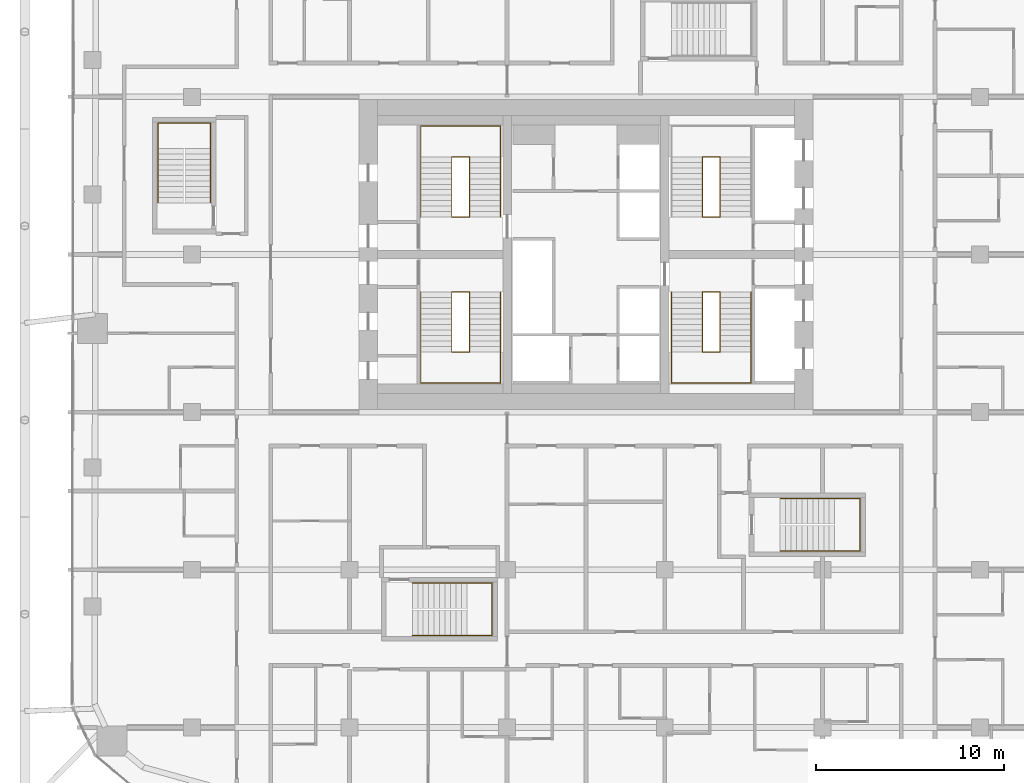
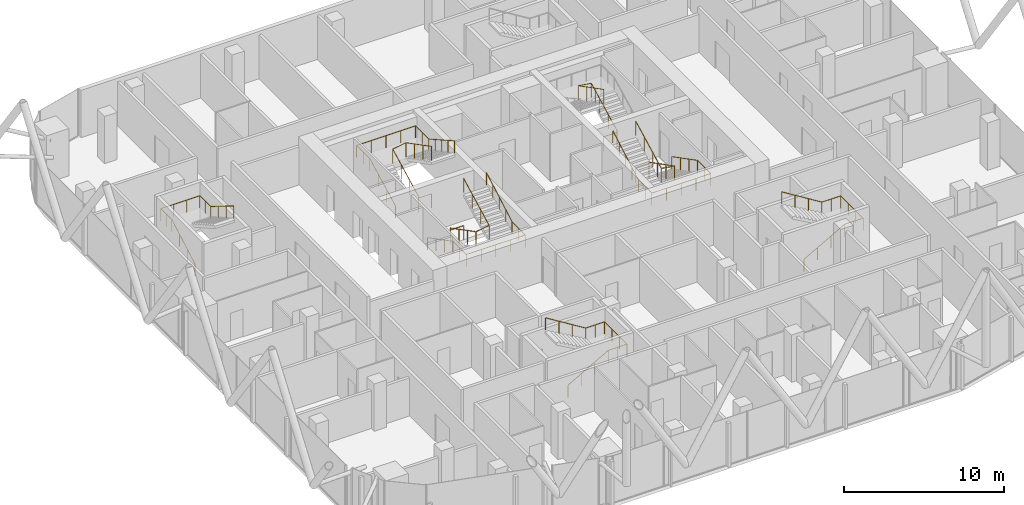
# One storey, part 35 of 36: 10 railings.
"""IFC4 building model written with IfcOpenShell, lengths in metres."""

from ifc_helpers import new_model, si_unit, direction, frame, origin, origin_2d, place, context, subcontext, project, spatial, circle, extrude, material, type_object, element, save


model = new_model("IFC4")

# Units and contexts
model_context = context("Model", 3, precision=1e-05, world=origin(), true_north=direction((0.0, 1.0)))
body_context = subcontext(model_context, "Body", "Model", "MODEL_VIEW")
ifc_project = project(units=[si_unit("LENGTHUNIT", "METRE"), si_unit("AREAUNIT", "SQUARE_METRE"), si_unit("VOLUMEUNIT", "CUBIC_METRE"), si_unit("PLANEANGLEUNIT", "RADIAN"), si_unit("MASSUNIT", "GRAM", prefix="KILO")], contexts=[model_context])

# Site, building, storey
site_placement = place(None, origin())
site = spatial("IfcSite", under=ifc_project, at=site_placement, CompositionType="ELEMENT")
building_placement = place(site_placement, origin())
building = spatial("IfcBuilding", under=site, at=building_placement, Name="Marenta Gate Hotel Tower", CompositionType="ELEMENT")
storey_placement = place(building_placement, frame((0.0, 0.0, 158.89990234375)))
storey = spatial("IfcBuildingStorey", under=building, at=storey_placement, Name="L37", CompositionType="ELEMENT", Elevation=158.89990234375)

# Railings
ifc_material_1 = material(Name="Stainless steel", Category="steel")
railing_type_1 = type_object("IfcRailingType", Name="Core stair handrail 950", PredefinedType="HANDRAIL", material=ifc_material_1)
railing_1_placement = place(storey_placement, frame((-8.800048828125, 6.39990234375, 0.150146484375)))
element("IfcRailing", 1, at=railing_1_placement, inside=storey, type_object=railing_type_1, Name="HR-950 L37-KR-ST1-1", PredefinedType="HANDRAIL", context=body_context, shape_type="SweptSolid", body=[
    extrude(circle(Radius=0.02392578125, at=origin_2d()), frame((0.0, 0.0, 0.92578125), z_axis=(0.0, -0.888225295554, 0.459408123936), x_axis=(1.0, 0.0, 0.0)), (0.0, 0.0, 1.0), 3.59130859375),
    extrude(circle(Radius=0.02392578125, at=origin_2d()), frame((0.0, -3.18994140625, 2.57568359375), z_axis=(0.0, -1.0, 0.0), x_axis=(1.0, 0.0, 0.0)), (0.0, 0.0, 1.0), 1.659912109375),
    extrude(circle(Radius=0.02392578125, at=origin_2d()), frame((0.0, -4.849853515625, 2.57568359375), z_axis=(1.0, 0.0, 0.0), x_axis=(0.0, 1.0, 0.0)), (0.0, 0.0, 1.0), 4.25),
    extrude(circle(Radius=0.02392578125, at=origin_2d()), frame((4.25, -4.849853515625, 2.57568359375), z_axis=(0.0, 1.0, 0.0), x_axis=(-1.0, 0.0, 0.0)), (0.0, 0.0, 1.0), 1.659912109375),
    extrude(circle(Radius=0.02392578125, at=origin_2d()), frame((4.25, -3.18994140625, 2.57568359375), z_axis=(0.0, 0.87090897868, 0.491444351738), x_axis=(-1.0, 0.0, 0.0)), (0.0, 0.0, 1.0), 3.662841796875),
    extrude(circle(Radius=0.02099609375, at=origin_2d()), origin(), (0.0, 0.0, 1.0), 0.90185546875),
    extrude(circle(Radius=0.02099609375, at=origin_2d()), frame((0.0, -1.063232421875, 0.550048828125)), (0.0, 0.0, 1.0), 0.90185546875),
    extrude(circle(Radius=0.02099609375, at=origin_2d()), frame((0.0, -2.126708984375, 1.099853515625)), (0.0, 0.0, 1.0), 0.90185546875),
    extrude(circle(Radius=0.02099609375, at=origin_2d()), frame((0.0, -3.18994140625, 1.64990234375)), (0.0, 0.0, 1.0), 0.90185546875),
    extrude(circle(Radius=0.02099609375, at=origin_2d()), frame((0.0, -4.02001953125, 1.64990234375)), (0.0, 0.0, 1.0), 0.90185546875),
    extrude(circle(Radius=0.02099609375, at=origin_2d()), frame((0.0, -4.849853515625, 1.64990234375)), (0.0, 0.0, 1.0), 0.90185546875),
    extrude(circle(Radius=0.02099609375, at=origin_2d()), frame((1.0625, -4.849853515625, 1.64990234375)), (0.0, 0.0, 1.0), 0.90185546875),
    extrude(circle(Radius=0.02099609375, at=origin_2d()), frame((2.125, -4.849853515625, 1.64990234375)), (0.0, 0.0, 1.0), 0.90185546875),
    extrude(circle(Radius=0.02099609375, at=origin_2d()), frame((3.1875, -4.849853515625, 1.64990234375)), (0.0, 0.0, 1.0), 0.90185546875),
    extrude(circle(Radius=0.02099609375, at=origin_2d()), frame((4.25, -4.849853515625, 1.64990234375)), (0.0, 0.0, 1.0), 0.90185546875),
    extrude(circle(Radius=0.02099609375, at=origin_2d()), frame((4.25, -4.02001953125, 1.64990234375)), (0.0, 0.0, 1.0), 0.90185546875),
    extrude(circle(Radius=0.02099609375, at=origin_2d()), frame((4.25, -3.18994140625, 1.64990234375)), (0.0, 0.0, 1.0), 0.90185546875),
    extrude(circle(Radius=0.02099609375, at=origin_2d()), frame((4.25, -2.392578125, 2.099853515625)), (0.0, 0.0, 1.0), 0.90185546875),
    extrude(circle(Radius=0.02099609375, at=origin_2d()), frame((4.25, -1.594970703125, 2.5498046875)), (0.0, 0.0, 1.0), 0.90185546875),
    extrude(circle(Radius=0.02099609375, at=origin_2d()), frame((4.25, -0.79736328125, 3.0)), (0.0, 0.0, 1.0), 0.90185546875),
    extrude(circle(Radius=0.02099609375, at=origin_2d()), frame((4.25, 0.0, 3.449951171875)), (0.0, 0.0, 1.0), 0.90185546875),
])
railing_2_placement = place(storey_placement, frame((-8.800048828125, 10.39990234375, 0.150146484375)))
element("IfcRailing", 2, at=railing_2_placement, inside=storey, type_object=railing_type_1, Name="HR-950 L37-KR-ST2-1", PredefinedType="HANDRAIL", context=body_context, shape_type="SweptSolid", body=[
    extrude(circle(Radius=0.02392578125, at=origin_2d()), frame((0.0, 0.0, 0.92578125), z_axis=(0.0, 0.888239641807, 0.459380385653), x_axis=(-1.0, 0.0, 0.0)), (0.0, 0.0, 1.0), 3.591552734375),
    extrude(circle(Radius=0.02392578125, at=origin_2d()), frame((0.0, 3.190185546875, 2.57568359375), z_axis=(0.0, 1.0, 0.0), x_axis=(-1.0, 0.0, 0.0)), (0.0, 0.0, 1.0), 1.659912109375),
    extrude(circle(Radius=0.02392578125, at=origin_2d()), frame((0.0, 4.85009765625, 2.57568359375), z_axis=(1.0, 0.0, 0.0), x_axis=(0.0, 1.0, 0.0)), (0.0, 0.0, 1.0), 4.25),
    extrude(circle(Radius=0.02392578125, at=origin_2d()), frame((4.25, 4.85009765625, 2.57568359375), z_axis=(0.0, -1.0, 0.0), x_axis=(1.0, 0.0, 0.0)), (0.0, 0.0, 1.0), 1.659912109375),
    extrude(circle(Radius=0.02392578125, at=origin_2d()), frame((4.25, 3.190185546875, 2.57568359375), z_axis=(0.0, -0.870925075533, 0.491415824742), x_axis=(1.0, 0.0, 0.0)), (0.0, 0.0, 1.0), 3.6630859375),
    extrude(circle(Radius=0.02099609375, at=origin_2d()), origin(), (0.0, 0.0, 1.0), 0.90185546875),
    extrude(circle(Radius=0.02099609375, at=origin_2d()), frame((0.0, 1.0634765625, 0.550048828125)), (0.0, 0.0, 1.0), 0.90185546875),
    extrude(circle(Radius=0.02099609375, at=origin_2d()), frame((0.0, 2.126708984375, 1.099853515625)), (0.0, 0.0, 1.0), 0.90185546875),
    extrude(circle(Radius=0.02099609375, at=origin_2d()), frame((0.0, 3.190185546875, 1.64990234375)), (0.0, 0.0, 1.0), 0.90185546875),
    extrude(circle(Radius=0.02099609375, at=origin_2d()), frame((0.0, 4.02001953125, 1.64990234375)), (0.0, 0.0, 1.0), 0.90185546875),
    extrude(circle(Radius=0.02099609375, at=origin_2d()), frame((0.0, 4.85009765625, 1.64990234375)), (0.0, 0.0, 1.0), 0.90185546875),
    extrude(circle(Radius=0.02099609375, at=origin_2d()), frame((1.0625, 4.85009765625, 1.64990234375)), (0.0, 0.0, 1.0), 0.90185546875),
    extrude(circle(Radius=0.02099609375, at=origin_2d()), frame((2.125, 4.85009765625, 1.64990234375)), (0.0, 0.0, 1.0), 0.90185546875),
    extrude(circle(Radius=0.02099609375, at=origin_2d()), frame((3.1875, 4.85009765625, 1.64990234375)), (0.0, 0.0, 1.0), 0.90185546875),
    extrude(circle(Radius=0.02099609375, at=origin_2d()), frame((4.25, 4.85009765625, 1.64990234375)), (0.0, 0.0, 1.0), 0.90185546875),
    extrude(circle(Radius=0.02099609375, at=origin_2d()), frame((4.25, 4.02001953125, 1.64990234375)), (0.0, 0.0, 1.0), 0.90185546875),
    extrude(circle(Radius=0.02099609375, at=origin_2d()), frame((4.25, 3.190185546875, 1.64990234375)), (0.0, 0.0, 1.0), 0.90185546875),
    extrude(circle(Radius=0.02099609375, at=origin_2d()), frame((4.25, 2.392578125, 2.099853515625)), (0.0, 0.0, 1.0), 0.90185546875),
    extrude(circle(Radius=0.02099609375, at=origin_2d()), frame((4.25, 1.59521484375, 2.5498046875)), (0.0, 0.0, 1.0), 0.90185546875),
    extrude(circle(Radius=0.02099609375, at=origin_2d()), frame((4.25, 0.797607421875, 3.0)), (0.0, 0.0, 1.0), 0.90185546875),
    extrude(circle(Radius=0.02099609375, at=origin_2d()), frame((4.25, 0.0, 3.449951171875)), (0.0, 0.0, 1.0), 0.90185546875),
])
railing_3_placement = place(storey_placement, frame((8.800048828125, 6.39990234375, 0.150146484375)))
element("IfcRailing", 3, at=railing_3_placement, inside=storey, type_object=railing_type_1, Name="HR-950 L37-KR-ST3-1", PredefinedType="HANDRAIL", context=body_context, shape_type="SweptSolid", body=[
    extrude(circle(Radius=0.02392578125, at=origin_2d()), frame((0.0, 0.0, 0.92578125), z_axis=(0.0, -0.888225295554, 0.459408123936), x_axis=(1.0, 0.0, 0.0)), (0.0, 0.0, 1.0), 3.59130859375),
    extrude(circle(Radius=0.02392578125, at=origin_2d()), frame((0.0, -3.18994140625, 2.57568359375), z_axis=(0.0, -1.0, 0.0), x_axis=(1.0, 0.0, 0.0)), (0.0, 0.0, 1.0), 1.659912109375),
    extrude(circle(Radius=0.02392578125, at=origin_2d()), frame((0.0, -4.849853515625, 2.57568359375), z_axis=(-1.0, 0.0, 0.0), x_axis=(0.0, -1.0, 0.0)), (0.0, 0.0, 1.0), 4.25),
    extrude(circle(Radius=0.02392578125, at=origin_2d()), frame((-4.25, -4.849853515625, 2.57568359375), z_axis=(0.0, 1.0, 0.0), x_axis=(-1.0, 0.0, 0.0)), (0.0, 0.0, 1.0), 1.659912109375),
    extrude(circle(Radius=0.02392578125, at=origin_2d()), frame((-4.25, -3.18994140625, 2.57568359375), z_axis=(0.0, 0.87090897868, 0.491444351738), x_axis=(-1.0, 0.0, 0.0)), (0.0, 0.0, 1.0), 3.662841796875),
    extrude(circle(Radius=0.02099609375, at=origin_2d()), origin(), (0.0, 0.0, 1.0), 0.90185546875),
    extrude(circle(Radius=0.02099609375, at=origin_2d()), frame((0.0, -1.063232421875, 0.550048828125)), (0.0, 0.0, 1.0), 0.90185546875),
    extrude(circle(Radius=0.02099609375, at=origin_2d()), frame((0.0, -2.126708984375, 1.099853515625)), (0.0, 0.0, 1.0), 0.90185546875),
    extrude(circle(Radius=0.02099609375, at=origin_2d()), frame((0.0, -3.18994140625, 1.64990234375)), (0.0, 0.0, 1.0), 0.90185546875),
    extrude(circle(Radius=0.02099609375, at=origin_2d()), frame((0.0, -4.02001953125, 1.64990234375)), (0.0, 0.0, 1.0), 0.90185546875),
    extrude(circle(Radius=0.02099609375, at=origin_2d()), frame((0.0, -4.849853515625, 1.64990234375)), (0.0, 0.0, 1.0), 0.90185546875),
    extrude(circle(Radius=0.02099609375, at=origin_2d()), frame((-1.0625, -4.849853515625, 1.64990234375)), (0.0, 0.0, 1.0), 0.90185546875),
    extrude(circle(Radius=0.02099609375, at=origin_2d()), frame((-2.125, -4.849853515625, 1.64990234375)), (0.0, 0.0, 1.0), 0.90185546875),
    extrude(circle(Radius=0.02099609375, at=origin_2d()), frame((-3.1875, -4.849853515625, 1.64990234375)), (0.0, 0.0, 1.0), 0.90185546875),
    extrude(circle(Radius=0.02099609375, at=origin_2d()), frame((-4.25, -4.849853515625, 1.64990234375)), (0.0, 0.0, 1.0), 0.90185546875),
    extrude(circle(Radius=0.02099609375, at=origin_2d()), frame((-4.25, -4.02001953125, 1.64990234375)), (0.0, 0.0, 1.0), 0.90185546875),
    extrude(circle(Radius=0.02099609375, at=origin_2d()), frame((-4.25, -3.18994140625, 1.64990234375)), (0.0, 0.0, 1.0), 0.90185546875),
    extrude(circle(Radius=0.02099609375, at=origin_2d()), frame((-4.25, -2.392578125, 2.099853515625)), (0.0, 0.0, 1.0), 0.90185546875),
    extrude(circle(Radius=0.02099609375, at=origin_2d()), frame((-4.25, -1.594970703125, 2.5498046875)), (0.0, 0.0, 1.0), 0.90185546875),
    extrude(circle(Radius=0.02099609375, at=origin_2d()), frame((-4.25, -0.79736328125, 3.0)), (0.0, 0.0, 1.0), 0.90185546875),
    extrude(circle(Radius=0.02099609375, at=origin_2d()), frame((-4.25, 0.0, 3.449951171875)), (0.0, 0.0, 1.0), 0.90185546875),
])
railing_4_placement = place(storey_placement, frame((-22.800048828125, 11.14990234375, 0.163818359375)))
element("IfcRailing", 4, at=railing_4_placement, inside=storey, type_object=railing_type_1, Name="HR-950 L37-RS-Z1-3-KR-1", PredefinedType="HANDRAIL", context=body_context, shape_type="SweptSolid", body=[
    extrude(circle(Radius=0.02392578125, at=origin_2d()), frame((0.0, 0.0, 0.92578125), z_axis=(0.0, 0.870946286338, 0.49137823142), x_axis=(-1.0, 0.0, 0.0)), (0.0, 0.0, 1.0), 3.329833984375),
    extrude(circle(Radius=0.02392578125, at=origin_2d()), frame((0.0, 2.900146484375, 2.56201171875), z_axis=(0.0, 1.0, 0.0), x_axis=(-1.0, 0.0, 0.0)), (0.0, 0.0, 1.0), 1.349853515625),
    extrude(circle(Radius=0.02392578125, at=origin_2d()), frame((0.0, 4.25, 2.56201171875), z_axis=(1.0, 0.0, 0.0), x_axis=(0.0, 1.0, 0.0)), (0.0, 0.0, 1.0), 2.800048828125),
    extrude(circle(Radius=0.02392578125, at=origin_2d()), frame((2.800048828125, 4.25, 2.56201171875), z_axis=(0.0, -1.0, 0.0), x_axis=(1.0, 0.0, 0.0)), (0.0, 0.0, 1.0), 1.349853515625),
    extrude(circle(Radius=0.02392578125, at=origin_2d()), frame((2.800048828125, 2.900146484375, 2.56201171875), z_axis=(0.0, -0.849645691689, 0.527353959494), x_axis=(1.0, 0.0, 0.0)), (0.0, 0.0, 1.0), 3.413330078125),
    extrude(circle(Radius=0.02099609375, at=origin_2d()), origin(), (0.0, 0.0, 1.0), 0.90185546875),
    extrude(circle(Radius=0.02099609375, at=origin_2d()), frame((0.0, 0.966796875, 0.54541015625)), (0.0, 0.0, 1.0), 0.90185546875),
    extrude(circle(Radius=0.02099609375, at=origin_2d()), frame((0.0, 1.933349609375, 1.0908203125)), (0.0, 0.0, 1.0), 0.90185546875),
    extrude(circle(Radius=0.02099609375, at=origin_2d()), frame((0.0, 2.900146484375, 1.63623046875)), (0.0, 0.0, 1.0), 0.90185546875),
    extrude(circle(Radius=0.02099609375, at=origin_2d()), frame((0.0, 3.5751953125, 1.63623046875)), (0.0, 0.0, 1.0), 0.90185546875),
    extrude(circle(Radius=0.02099609375, at=origin_2d()), frame((0.0, 4.25, 1.63623046875)), (0.0, 0.0, 1.0), 0.90185546875),
    extrude(circle(Radius=0.02099609375, at=origin_2d()), frame((0.933349609375, 4.25, 1.63623046875)), (0.0, 0.0, 1.0), 0.90185546875),
    extrude(circle(Radius=0.02099609375, at=origin_2d()), frame((1.86669921875, 4.25, 1.63623046875)), (0.0, 0.0, 1.0), 0.90185546875),
    extrude(circle(Radius=0.02099609375, at=origin_2d()), frame((2.800048828125, 4.25, 1.63623046875)), (0.0, 0.0, 1.0), 0.90185546875),
    extrude(circle(Radius=0.02099609375, at=origin_2d()), frame((2.800048828125, 3.5751953125, 1.63623046875)), (0.0, 0.0, 1.0), 0.90185546875),
    extrude(circle(Radius=0.02099609375, at=origin_2d()), frame((2.800048828125, 2.900146484375, 1.63623046875)), (0.0, 0.0, 1.0), 0.90185546875),
    extrude(circle(Radius=0.02099609375, at=origin_2d()), frame((2.800048828125, 1.933349609375, 2.236328125)), (0.0, 0.0, 1.0), 0.90185546875),
    extrude(circle(Radius=0.02099609375, at=origin_2d()), frame((2.800048828125, 0.966796875, 2.836181640625)), (0.0, 0.0, 1.0), 0.90185546875),
    extrude(circle(Radius=0.02099609375, at=origin_2d()), frame((2.800048828125, 0.0, 3.436279296875)), (0.0, 0.0, 1.0), 0.90185546875),
])
railing_5_placement = place(storey_placement, frame((-9.25, -11.89990234375, 0.163818359375)))
element("IfcRailing", 5, at=railing_5_placement, inside=storey, type_object=railing_type_1, Name="HR-950 L37-RS-Z2-1-KR-1", PredefinedType="HANDRAIL", context=body_context, shape_type="SweptSolid", body=[
    extrude(circle(Radius=0.02392578125, at=origin_2d()), frame((0.0, 0.0, 0.92578125), z_axis=(0.870928581787, 0.0, 0.491409610636), x_axis=(0.0, 1.0, 0.0)), (0.0, 0.0, 1.0), 3.32958984375),
    extrude(circle(Radius=0.02392578125, at=origin_2d()), frame((2.89990234375, 0.0, 2.56201171875), z_axis=(1.0, 0.0, 0.0), x_axis=(0.0, 1.0, 0.0)), (0.0, 0.0, 1.0), 1.35009765625),
    extrude(circle(Radius=0.02392578125, at=origin_2d()), frame((4.25, 0.0, 2.56201171875), z_axis=(0.0, 1.0, 0.0), x_axis=(-1.0, 0.0, 0.0)), (0.0, 0.0, 1.0), 2.7998046875),
    extrude(circle(Radius=0.02392578125, at=origin_2d()), frame((4.25, 2.7998046875, 2.56201171875), z_axis=(-1.0, 0.0, 0.0), x_axis=(0.0, -1.0, 0.0)), (0.0, 0.0, 1.0), 1.35009765625),
    extrude(circle(Radius=0.02392578125, at=origin_2d()), frame((2.89990234375, 2.7998046875, 2.56201171875), z_axis=(-0.849625798611, 0.0, 0.527386008853), x_axis=(0.0, -1.0, 0.0)), (0.0, 0.0, 1.0), 3.4130859375),
    extrude(circle(Radius=0.02099609375, at=origin_2d()), origin(), (0.0, 0.0, 1.0), 0.90185546875),
    extrude(circle(Radius=0.02099609375, at=origin_2d()), frame((0.966552734375, 0.0, 0.54541015625)), (0.0, 0.0, 1.0), 0.90185546875),
    extrude(circle(Radius=0.02099609375, at=origin_2d()), frame((1.933349609375, 0.0, 1.0908203125)), (0.0, 0.0, 1.0), 0.90185546875),
    extrude(circle(Radius=0.02099609375, at=origin_2d()), frame((2.89990234375, 0.0, 1.63623046875)), (0.0, 0.0, 1.0), 0.90185546875),
    extrude(circle(Radius=0.02099609375, at=origin_2d()), frame((3.574951171875, 0.0, 1.63623046875)), (0.0, 0.0, 1.0), 0.90185546875),
    extrude(circle(Radius=0.02099609375, at=origin_2d()), frame((4.25, 0.0, 1.63623046875)), (0.0, 0.0, 1.0), 0.90185546875),
    extrude(circle(Radius=0.02099609375, at=origin_2d()), frame((4.25, 0.933349609375, 1.63623046875)), (0.0, 0.0, 1.0), 0.90185546875),
    extrude(circle(Radius=0.02099609375, at=origin_2d()), frame((4.25, 1.866455078125, 1.63623046875)), (0.0, 0.0, 1.0), 0.90185546875),
    extrude(circle(Radius=0.02099609375, at=origin_2d()), frame((4.25, 2.7998046875, 1.63623046875)), (0.0, 0.0, 1.0), 0.90185546875),
    extrude(circle(Radius=0.02099609375, at=origin_2d()), frame((3.574951171875, 2.7998046875, 1.63623046875)), (0.0, 0.0, 1.0), 0.90185546875),
    extrude(circle(Radius=0.02099609375, at=origin_2d()), frame((2.89990234375, 2.7998046875, 1.63623046875)), (0.0, 0.0, 1.0), 0.90185546875),
    extrude(circle(Radius=0.02099609375, at=origin_2d()), frame((1.933349609375, 2.7998046875, 2.236328125)), (0.0, 0.0, 1.0), 0.90185546875),
    extrude(circle(Radius=0.02099609375, at=origin_2d()), frame((0.966552734375, 2.7998046875, 2.836181640625)), (0.0, 0.0, 1.0), 0.90185546875),
    extrude(circle(Radius=0.02099609375, at=origin_2d()), frame((0.0, 2.7998046875, 3.436279296875)), (0.0, 0.0, 1.0), 0.90185546875),
])
railing_6_placement = place(storey_placement, frame((10.35009765625, -7.39990234375, 0.163818359375)))
element("IfcRailing", 6, at=railing_6_placement, inside=storey, type_object=railing_type_1, Name="HR-950 L37-RS-Z2-2-KR-1", PredefinedType="HANDRAIL", context=body_context, shape_type="SweptSolid", body=[
    extrude(circle(Radius=0.02392578125, at=origin_2d()), frame((0.0, 0.0, 0.92578125), z_axis=(0.870928581787, 0.0, 0.491409610636), x_axis=(0.0, 1.0, 0.0)), (0.0, 0.0, 1.0), 3.32958984375),
    extrude(circle(Radius=0.02392578125, at=origin_2d()), frame((2.89990234375, 0.0, 2.56201171875), z_axis=(1.0, 0.0, 0.0), x_axis=(0.0, 1.0, 0.0)), (0.0, 0.0, 1.0), 1.35009765625),
    extrude(circle(Radius=0.02392578125, at=origin_2d()), frame((4.25, 0.0, 2.56201171875), z_axis=(0.0, 1.0, 0.0), x_axis=(-1.0, 0.0, 0.0)), (0.0, 0.0, 1.0), 2.7998046875),
    extrude(circle(Radius=0.02392578125, at=origin_2d()), frame((4.25, 2.7998046875, 2.56201171875), z_axis=(-1.0, 0.0, 0.0), x_axis=(0.0, -1.0, 0.0)), (0.0, 0.0, 1.0), 1.35009765625),
    extrude(circle(Radius=0.02392578125, at=origin_2d()), frame((2.89990234375, 2.7998046875, 2.56201171875), z_axis=(-0.849625798611, 0.0, 0.527386008853), x_axis=(0.0, -1.0, 0.0)), (0.0, 0.0, 1.0), 3.4130859375),
    extrude(circle(Radius=0.02099609375, at=origin_2d()), origin(), (0.0, 0.0, 1.0), 0.90185546875),
    extrude(circle(Radius=0.02099609375, at=origin_2d()), frame((0.966552734375, 0.0, 0.54541015625)), (0.0, 0.0, 1.0), 0.90185546875),
    extrude(circle(Radius=0.02099609375, at=origin_2d()), frame((1.933349609375, 0.0, 1.0908203125)), (0.0, 0.0, 1.0), 0.90185546875),
    extrude(circle(Radius=0.02099609375, at=origin_2d()), frame((2.89990234375, 0.0, 1.63623046875)), (0.0, 0.0, 1.0), 0.90185546875),
    extrude(circle(Radius=0.02099609375, at=origin_2d()), frame((3.574951171875, 0.0, 1.63623046875)), (0.0, 0.0, 1.0), 0.90185546875),
    extrude(circle(Radius=0.02099609375, at=origin_2d()), frame((4.25, 0.0, 1.63623046875)), (0.0, 0.0, 1.0), 0.90185546875),
    extrude(circle(Radius=0.02099609375, at=origin_2d()), frame((4.25, 0.933349609375, 1.63623046875)), (0.0, 0.0, 1.0), 0.90185546875),
    extrude(circle(Radius=0.02099609375, at=origin_2d()), frame((4.25, 1.866455078125, 1.63623046875)), (0.0, 0.0, 1.0), 0.90185546875),
    extrude(circle(Radius=0.02099609375, at=origin_2d()), frame((4.25, 2.7998046875, 1.63623046875)), (0.0, 0.0, 1.0), 0.90185546875),
    extrude(circle(Radius=0.02099609375, at=origin_2d()), frame((3.574951171875, 2.7998046875, 1.63623046875)), (0.0, 0.0, 1.0), 0.90185546875),
    extrude(circle(Radius=0.02099609375, at=origin_2d()), frame((2.89990234375, 2.7998046875, 1.63623046875)), (0.0, 0.0, 1.0), 0.90185546875),
    extrude(circle(Radius=0.02099609375, at=origin_2d()), frame((1.933349609375, 2.7998046875, 2.236328125)), (0.0, 0.0, 1.0), 0.90185546875),
    extrude(circle(Radius=0.02099609375, at=origin_2d()), frame((0.966552734375, 2.7998046875, 2.836181640625)), (0.0, 0.0, 1.0), 0.90185546875),
    extrude(circle(Radius=0.02099609375, at=origin_2d()), frame((0.0, 2.7998046875, 3.436279296875)), (0.0, 0.0, 1.0), 0.90185546875),
])
ifc_material_2 = material(Name="Stainless steel", Category="steel")
railing_type_2 = type_object("IfcRailingType", Name="Core stair well guard 1100", PredefinedType="GUARDRAIL", material=ifc_material_2)
railing_7_placement = place(storey_placement, frame((-6.199951171875, 6.39990234375, 0.0)))
element("IfcRailing", 7, at=railing_7_placement, inside=storey, type_object=railing_type_2, Name="GR-1100 L37-KR-ST1-2", PredefinedType="GUARDRAIL", context=body_context, shape_type="SweptSolid", body=[
    extrude(circle(Radius=0.02392578125, at=origin_2d()), frame((0.0, 0.0, 1.076171875), z_axis=(-1.0, 0.0, 0.0), x_axis=(0.0, -1.0, 0.0)), (0.0, 0.0, 1.0), 0.949951171875),
    extrude(circle(Radius=0.02392578125, at=origin_2d()), frame((-0.949951171875, 0.0, 1.076171875), z_axis=(0.0, 0.0, 1.0), x_axis=(1.0, 0.0, 0.0)), (0.0, 0.0, 1.0), 0.150146484375),
    extrude(circle(Radius=0.02392578125, at=origin_2d()), frame((-0.949951171875, 0.0, 1.22607421875), z_axis=(0.0, -0.888225295554, 0.459408123936), x_axis=(1.0, 0.0, 0.0)), (0.0, 0.0, 1.0), 3.59130859375),
    extrude(circle(Radius=0.02392578125, at=origin_2d()), frame((-0.949951171875, -3.18994140625, 2.8759765625), z_axis=(0.987738253826, 0.0, 0.156118999255), x_axis=(0.0, 1.0, 0.0)), (0.0, 0.0, 1.0), 0.961669921875),
    extrude(circle(Radius=0.02392578125, at=origin_2d()), frame((0.0, -3.18994140625, 3.0263671875), z_axis=(0.0, 0.888225295554, 0.459408123936), x_axis=(-1.0, 0.0, 0.0)), (0.0, 0.0, 1.0), 3.59130859375),
    extrude(circle(Radius=0.02099609375, at=origin_2d()), origin(), (0.0, 0.0, 1.0), 1.052001953125),
    extrude(circle(Radius=0.02099609375, at=origin_2d()), frame((-0.949951171875, 0.0, 0.0)), (0.0, 0.0, 1.0), 1.052001953125),
    extrude(circle(Radius=0.02099609375, at=origin_2d()), frame((-0.949951171875, 0.0, 0.150146484375)), (0.0, 0.0, 1.0), 1.052001953125),
    extrude(circle(Radius=0.02099609375, at=origin_2d()), frame((-0.949951171875, -1.063232421875, 0.7001953125)), (0.0, 0.0, 1.0), 1.052001953125),
    extrude(circle(Radius=0.02099609375, at=origin_2d()), frame((-0.949951171875, -2.126708984375, 1.25)), (0.0, 0.0, 1.0), 1.052001953125),
    extrude(circle(Radius=0.02099609375, at=origin_2d()), frame((-0.949951171875, -3.18994140625, 1.800048828125)), (0.0, 0.0, 1.0), 1.052001953125),
    extrude(circle(Radius=0.02099609375, at=origin_2d()), frame((0.0, -3.18994140625, 1.9501953125)), (0.0, 0.0, 1.0), 1.052001953125),
    extrude(circle(Radius=0.02099609375, at=origin_2d()), frame((0.0, -2.126708984375, 2.500244140625)), (0.0, 0.0, 1.0), 1.052001953125),
    extrude(circle(Radius=0.02099609375, at=origin_2d()), frame((0.0, -1.063232421875, 3.050048828125)), (0.0, 0.0, 1.0), 1.052001953125),
    extrude(circle(Radius=0.02099609375, at=origin_2d()), frame((0.0, 0.0, 3.60009765625)), (0.0, 0.0, 1.0), 1.052001953125),
])
railing_8_placement = place(storey_placement, frame((-6.199951171875, 10.39990234375, 0.0)))
element("IfcRailing", 8, at=railing_8_placement, inside=storey, type_object=railing_type_2, Name="GR-1100 L37-KR-ST2-2", PredefinedType="GUARDRAIL", context=body_context, shape_type="SweptSolid", body=[
    extrude(circle(Radius=0.02392578125, at=origin_2d()), frame((0.0, 0.0, 1.076171875), z_axis=(-1.0, 0.0, 0.0), x_axis=(0.0, -1.0, 0.0)), (0.0, 0.0, 1.0), 0.949951171875),
    extrude(circle(Radius=0.02392578125, at=origin_2d()), frame((-0.949951171875, 0.0, 1.076171875), z_axis=(0.0, 0.0, 1.0), x_axis=(1.0, 0.0, 0.0)), (0.0, 0.0, 1.0), 0.150146484375),
    extrude(circle(Radius=0.02392578125, at=origin_2d()), frame((-0.949951171875, 0.0, 1.22607421875), z_axis=(0.0, 0.888239641807, 0.459380385653), x_axis=(-1.0, 0.0, 0.0)), (0.0, 0.0, 1.0), 3.591552734375),
    extrude(circle(Radius=0.02392578125, at=origin_2d()), frame((-0.949951171875, 3.190185546875, 2.8759765625), z_axis=(0.987738253826, 0.0, 0.156118999255), x_axis=(0.0, 1.0, 0.0)), (0.0, 0.0, 1.0), 0.961669921875),
    extrude(circle(Radius=0.02392578125, at=origin_2d()), frame((0.0, 3.190185546875, 3.0263671875), z_axis=(0.0, -0.888239641807, 0.459380385653), x_axis=(1.0, 0.0, 0.0)), (0.0, 0.0, 1.0), 3.591552734375),
    extrude(circle(Radius=0.02099609375, at=origin_2d()), origin(), (0.0, 0.0, 1.0), 1.052001953125),
    extrude(circle(Radius=0.02099609375, at=origin_2d()), frame((-0.949951171875, 0.0, 0.0)), (0.0, 0.0, 1.0), 1.052001953125),
    extrude(circle(Radius=0.02099609375, at=origin_2d()), frame((-0.949951171875, 0.0, 0.150146484375)), (0.0, 0.0, 1.0), 1.052001953125),
    extrude(circle(Radius=0.02099609375, at=origin_2d()), frame((-0.949951171875, 1.0634765625, 0.7001953125)), (0.0, 0.0, 1.0), 1.052001953125),
    extrude(circle(Radius=0.02099609375, at=origin_2d()), frame((-0.949951171875, 2.126708984375, 1.25)), (0.0, 0.0, 1.0), 1.052001953125),
    extrude(circle(Radius=0.02099609375, at=origin_2d()), frame((-0.949951171875, 3.190185546875, 1.800048828125)), (0.0, 0.0, 1.0), 1.052001953125),
    extrude(circle(Radius=0.02099609375, at=origin_2d()), frame((0.0, 3.190185546875, 1.9501953125)), (0.0, 0.0, 1.0), 1.052001953125),
    extrude(circle(Radius=0.02099609375, at=origin_2d()), frame((0.0, 2.126708984375, 2.500244140625)), (0.0, 0.0, 1.0), 1.052001953125),
    extrude(circle(Radius=0.02099609375, at=origin_2d()), frame((0.0, 1.0634765625, 3.050048828125)), (0.0, 0.0, 1.0), 1.052001953125),
    extrude(circle(Radius=0.02099609375, at=origin_2d()), frame((0.0, 0.0, 3.60009765625)), (0.0, 0.0, 1.0), 1.052001953125),
])
railing_9_placement = place(storey_placement, frame((6.199951171875, 6.39990234375, 0.0)))
element("IfcRailing", 9, at=railing_9_placement, inside=storey, type_object=railing_type_2, Name="GR-1100 L37-KR-ST3-2", PredefinedType="GUARDRAIL", context=body_context, shape_type="SweptSolid", body=[
    extrude(circle(Radius=0.02392578125, at=origin_2d()), frame((0.0, 0.0, 1.076171875), z_axis=(1.0, 0.0, 0.0), x_axis=(0.0, 1.0, 0.0)), (0.0, 0.0, 1.0), 0.949951171875),
    extrude(circle(Radius=0.02392578125, at=origin_2d()), frame((0.949951171875, 0.0, 1.076171875), z_axis=(0.0, 0.0, 1.0), x_axis=(1.0, 0.0, 0.0)), (0.0, 0.0, 1.0), 0.150146484375),
    extrude(circle(Radius=0.02392578125, at=origin_2d()), frame((0.949951171875, 0.0, 1.22607421875), z_axis=(0.0, -0.888225295554, 0.459408123936), x_axis=(1.0, 0.0, 0.0)), (0.0, 0.0, 1.0), 3.59130859375),
    extrude(circle(Radius=0.02392578125, at=origin_2d()), frame((0.949951171875, -3.18994140625, 2.8759765625), z_axis=(-0.987738253826, 0.0, 0.156118999255), x_axis=(0.0, -1.0, 0.0)), (0.0, 0.0, 1.0), 0.961669921875),
    extrude(circle(Radius=0.02392578125, at=origin_2d()), frame((0.0, -3.18994140625, 3.0263671875), z_axis=(0.0, 0.888225295554, 0.459408123936), x_axis=(-1.0, 0.0, 0.0)), (0.0, 0.0, 1.0), 3.59130859375),
    extrude(circle(Radius=0.02099609375, at=origin_2d()), origin(), (0.0, 0.0, 1.0), 1.052001953125),
    extrude(circle(Radius=0.02099609375, at=origin_2d()), frame((0.949951171875, 0.0, 0.0)), (0.0, 0.0, 1.0), 1.052001953125),
    extrude(circle(Radius=0.02099609375, at=origin_2d()), frame((0.949951171875, 0.0, 0.150146484375)), (0.0, 0.0, 1.0), 1.052001953125),
    extrude(circle(Radius=0.02099609375, at=origin_2d()), frame((0.949951171875, -1.063232421875, 0.7001953125)), (0.0, 0.0, 1.0), 1.052001953125),
    extrude(circle(Radius=0.02099609375, at=origin_2d()), frame((0.949951171875, -2.126708984375, 1.25)), (0.0, 0.0, 1.0), 1.052001953125),
    extrude(circle(Radius=0.02099609375, at=origin_2d()), frame((0.949951171875, -3.18994140625, 1.800048828125)), (0.0, 0.0, 1.0), 1.052001953125),
    extrude(circle(Radius=0.02099609375, at=origin_2d()), frame((0.0, -3.18994140625, 1.9501953125)), (0.0, 0.0, 1.0), 1.052001953125),
    extrude(circle(Radius=0.02099609375, at=origin_2d()), frame((0.0, -2.126708984375, 2.500244140625)), (0.0, 0.0, 1.0), 1.052001953125),
    extrude(circle(Radius=0.02099609375, at=origin_2d()), frame((0.0, -1.063232421875, 3.050048828125)), (0.0, 0.0, 1.0), 1.052001953125),
    extrude(circle(Radius=0.02099609375, at=origin_2d()), frame((0.0, 0.0, 3.60009765625)), (0.0, 0.0, 1.0), 1.052001953125),
])
railing_10_placement = place(storey_placement, frame((6.199951171875, 10.39990234375, 0.0)))
element("IfcRailing", 10, at=railing_10_placement, inside=storey, type_object=railing_type_2, Name="GR-1100 L37-KR-ST4-2", PredefinedType="GUARDRAIL", context=body_context, shape_type="SweptSolid", body=[
    extrude(circle(Radius=0.02392578125, at=origin_2d()), frame((0.0, 0.0, 1.076171875), z_axis=(1.0, 0.0, 0.0), x_axis=(0.0, 1.0, 0.0)), (0.0, 0.0, 1.0), 0.949951171875),
    extrude(circle(Radius=0.02392578125, at=origin_2d()), frame((0.949951171875, 0.0, 1.076171875), z_axis=(0.0, 0.0, 1.0), x_axis=(1.0, 0.0, 0.0)), (0.0, 0.0, 1.0), 0.150146484375),
    extrude(circle(Radius=0.02392578125, at=origin_2d()), frame((0.949951171875, 0.0, 1.22607421875), z_axis=(0.0, 0.888239641807, 0.459380385653), x_axis=(-1.0, 0.0, 0.0)), (0.0, 0.0, 1.0), 3.591552734375),
    extrude(circle(Radius=0.02392578125, at=origin_2d()), frame((0.949951171875, 3.190185546875, 2.8759765625), z_axis=(-0.987738253826, 0.0, 0.156118999255), x_axis=(0.0, -1.0, 0.0)), (0.0, 0.0, 1.0), 0.961669921875),
    extrude(circle(Radius=0.02392578125, at=origin_2d()), frame((0.0, 3.190185546875, 3.0263671875), z_axis=(0.0, -0.888239641807, 0.459380385653), x_axis=(1.0, 0.0, 0.0)), (0.0, 0.0, 1.0), 3.591552734375),
    extrude(circle(Radius=0.02099609375, at=origin_2d()), origin(), (0.0, 0.0, 1.0), 1.052001953125),
    extrude(circle(Radius=0.02099609375, at=origin_2d()), frame((0.949951171875, 0.0, 0.0)), (0.0, 0.0, 1.0), 1.052001953125),
    extrude(circle(Radius=0.02099609375, at=origin_2d()), frame((0.949951171875, 0.0, 0.150146484375)), (0.0, 0.0, 1.0), 1.052001953125),
    extrude(circle(Radius=0.02099609375, at=origin_2d()), frame((0.949951171875, 1.0634765625, 0.7001953125)), (0.0, 0.0, 1.0), 1.052001953125),
    extrude(circle(Radius=0.02099609375, at=origin_2d()), frame((0.949951171875, 2.126708984375, 1.25)), (0.0, 0.0, 1.0), 1.052001953125),
    extrude(circle(Radius=0.02099609375, at=origin_2d()), frame((0.949951171875, 3.190185546875, 1.800048828125)), (0.0, 0.0, 1.0), 1.052001953125),
    extrude(circle(Radius=0.02099609375, at=origin_2d()), frame((0.0, 3.190185546875, 1.9501953125)), (0.0, 0.0, 1.0), 1.052001953125),
    extrude(circle(Radius=0.02099609375, at=origin_2d()), frame((0.0, 2.126708984375, 2.500244140625)), (0.0, 0.0, 1.0), 1.052001953125),
    extrude(circle(Radius=0.02099609375, at=origin_2d()), frame((0.0, 1.0634765625, 3.050048828125)), (0.0, 0.0, 1.0), 1.052001953125),
    extrude(circle(Radius=0.02099609375, at=origin_2d()), frame((0.0, 0.0, 3.60009765625)), (0.0, 0.0, 1.0), 1.052001953125),
])

save(model, "model.ifc")
